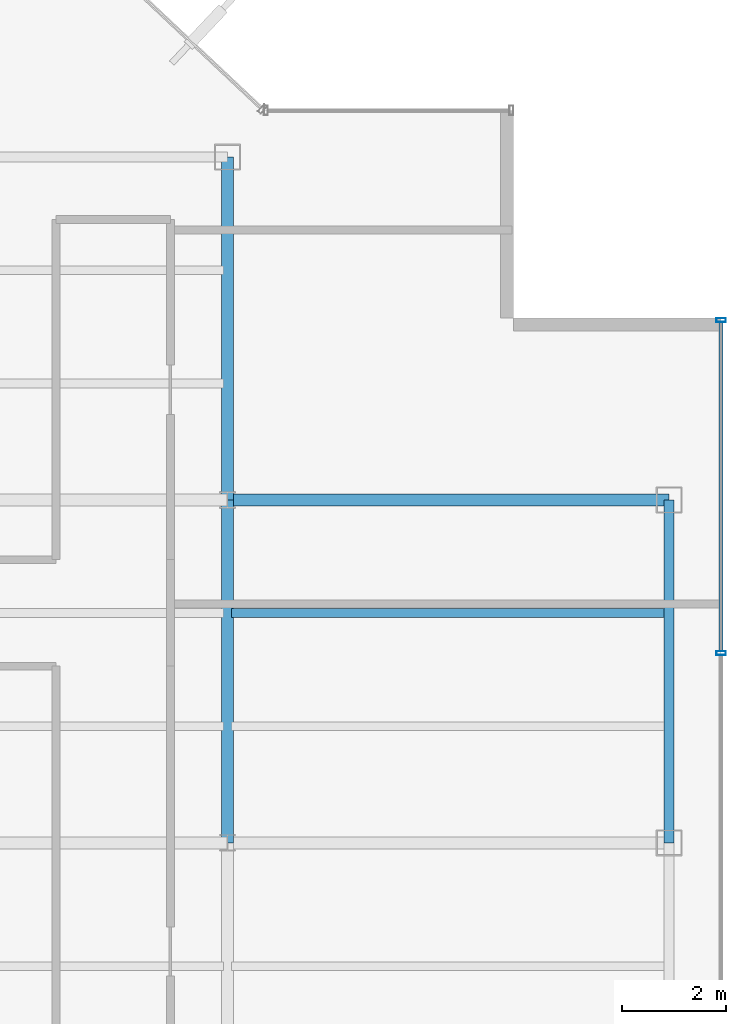
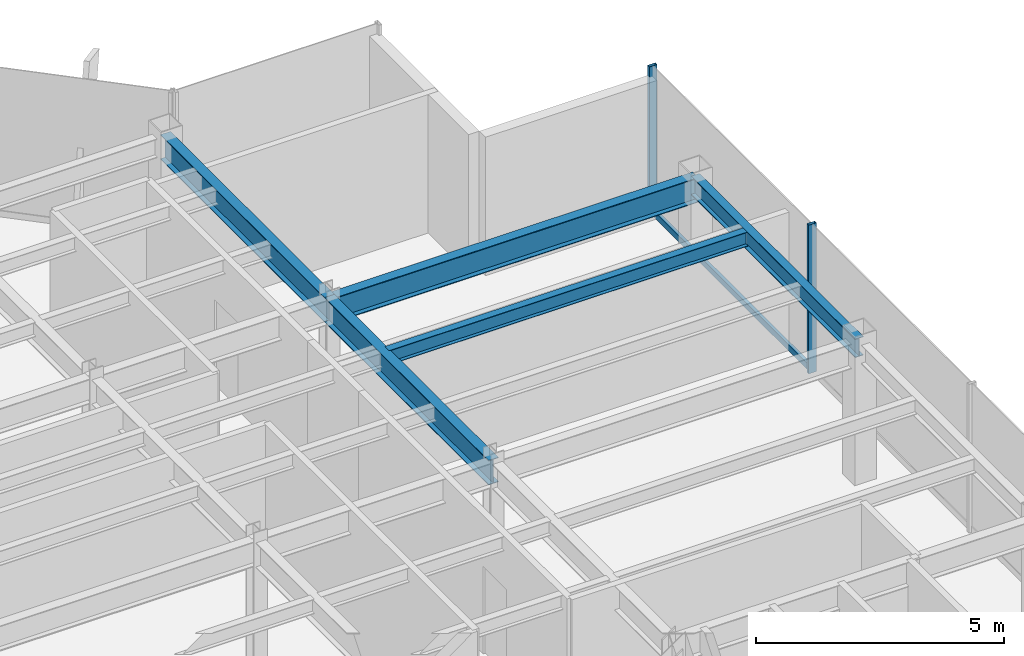
# One storey, part 11 of 22: 5 beams, 3 members, 1 element without a shape of its own.
"""IFC4 building model written with IfcOpenShell, lengths in metres."""

from ifc_helpers import new_model, si_unit, derived_unit, direction, frame, origin, origin_2d, place, context, subcontext, project, spatial, hollow_rectangle, i_section, extrude, source, transform, mapped, material, material_profile, profile_set, type_object, element, aggregate, save


model = new_model("IFC4")

# Units and contexts
model_context = context("Model", 3, precision=1e-05, world=origin(), true_north=direction((0.0, 1.0)))
body_context = subcontext(model_context, "Body", "Model", "MODEL_VIEW")
ifc_project = project(units=[si_unit("LENGTHUNIT", "METRE"), si_unit("AREAUNIT", "SQUARE_METRE"), si_unit("VOLUMEUNIT", "CUBIC_METRE"), si_unit("PLANEANGLEUNIT", "RADIAN"), si_unit("MASSUNIT", "GRAM", prefix="KILO"), derived_unit("THERMALTRANSMITTANCEUNIT", [(si_unit("POWERUNIT", "WATT"), 1), (si_unit("LENGTHUNIT", "METRE"), -2), (si_unit("THERMODYNAMICTEMPERATUREUNIT", "KELVIN"), -1)])], contexts=[model_context])

# Site, building, storey
site_placement = place(None, origin())
site = spatial("IfcSite", under=ifc_project, at=site_placement, CompositionType="ELEMENT")
building_placement = place(site_placement, origin())
building = spatial("IfcBuilding", under=site, at=building_placement, Name="Skarnbrae Concourse Arena and Tower", CompositionType="ELEMENT")
storey_placement = place(building_placement, frame((0.0, 0.0, 199.550048828125)))
storey = spatial("IfcBuildingStorey", under=building, at=storey_placement, Name="L51", CompositionType="ELEMENT", Elevation=199.550048828125)

# Beams
ifc_material_1 = material(Name="Steel CSA G40.21 350W", Category="steel")
ifc_material_profile_1 = material_profile(ifc_material_1, i_section(OverallWidth=0.22802734375, OverallDepth=0.60791015625, WebThickness=0.01123046875, FlangeThickness=0.017333984375, at=origin_2d()), Name="W610X113")
ifc_profile_set_1 = profile_set([ifc_material_profile_1], Name="Steel CSA G40.21 350W")
beam_type_1 = type_object("IfcBeamType", Name="BM-GIRD-W610X113", PredefinedType="BEAM", material=ifc_profile_set_1)
shared_shape_1 = source(origin(), body_context, "Body", "SweptSolid", [
    extrude(i_section(OverallWidth=0.22802734375, OverallDepth=0.60791015625, WebThickness=0.01123046875, FlangeThickness=0.017333984375, at=origin_2d()), origin(), (0.0, 0.0, 1.0), 6.60009765625),
])
beam_1_placement = place(storey_placement, frame((33.5, 21.199951171875, 3.095947265625), z_axis=(0.0, 1.0, 0.0), x_axis=(-1.0, 0.0, 0.0)))
element("IfcBeam", 1, at=beam_1_placement, inside=storey, type_object=beam_type_1, Name="L51 Primary N-S girder X33.5-2", PredefinedType="BEAM", context=body_context, shape_type="MappedRepresentation", body=[
    mapped(shared_shape_1, transform((0.0, 0.0, 0.0))),
])
shared_shape_2 = source(origin(), body_context, "Body", "SweptSolid", [
    extrude(i_section(OverallWidth=0.22802734375, OverallDepth=0.60791015625, WebThickness=0.01123046875, FlangeThickness=0.017333984375, at=origin_2d()), origin(), (0.0, 0.0, 1.0), 8.5),
])
beam_2_placement = place(storey_placement, frame((33.5, 27.800048828125, 3.095947265625), z_axis=(1.0, 0.0, 0.0), x_axis=(0.0, 1.0, 0.0)))
element("IfcBeam", 2, at=beam_2_placement, inside=storey, type_object=beam_type_1, Name="L51 Primary E-W girder Y27.8-6", PredefinedType="BEAM", context=body_context, shape_type="MappedRepresentation", body=[
    mapped(shared_shape_2, transform((0.0, 0.0, 0.0))),
])
ifc_material_profile_2 = material_profile(ifc_material_1, i_section(OverallWidth=0.19091796875, OverallDepth=0.4599609375, WebThickness=0.010009765625, FlangeThickness=0.01611328125, at=origin_2d()), Name="W460X82")
ifc_profile_set_2 = profile_set([ifc_material_profile_2], Name="Steel CSA G40.21 350W")
beam_type_2 = type_object("IfcBeamType", Name="BM-SPAN-W460X82", PredefinedType="SPANDREL", material=ifc_profile_set_2)
shared_shape_3 = source(origin(), body_context, "Body", "SweptSolid", [
    extrude(i_section(OverallWidth=0.19091796875, OverallDepth=0.4599609375, WebThickness=0.010009765625, FlangeThickness=0.01611328125, at=origin_2d()), origin(), (0.0, 0.0, 1.0), 6.60009765625),
])
beam_3_placement = place(storey_placement, frame((42.0, 21.199951171875, 3.169921875), z_axis=(0.0, 1.0, 0.0), x_axis=(-1.0, 0.0, 0.0)))
element("IfcBeam", 3, at=beam_3_placement, inside=storey, type_object=beam_type_2, Name="L51 Perimeter spandrel X42.0-3", PredefinedType="SPANDREL", context=body_context, shape_type="MappedRepresentation", body=[
    mapped(shared_shape_3, transform((0.0, 0.0, 0.0))),
])
shared_shape_4 = source(origin(), body_context, "Body", "SweptSolid", [
    extrude(i_section(OverallWidth=0.22802734375, OverallDepth=0.60791015625, WebThickness=0.01123046875, FlangeThickness=0.017333984375, at=origin_2d()), origin(), (0.0, 0.0, 1.0), 6.599853515625),
])
beam_4_placement = place(storey_placement, frame((33.5, 27.800048828125, 3.095947265625), z_axis=(0.0, 1.0, 0.0), x_axis=(-1.0, 0.0, 0.0)))
element("IfcBeam", 4, at=beam_4_placement, inside=storey, type_object=beam_type_1, Name="L51 Primary N-S girder X33.5-3", PredefinedType="BEAM", context=body_context, shape_type="MappedRepresentation", body=[
    mapped(shared_shape_4, transform((0.0, 0.0, 0.0))),
])
ifc_material_profile_3 = material_profile(ifc_material_1, i_section(OverallWidth=0.1708984375, OverallDepth=0.35498046875, WebThickness=0.007080078125, FlangeThickness=0.01171875, at=origin_2d()), Name="W360X51")
ifc_profile_set_3 = profile_set([ifc_material_profile_3], Name="Steel CSA G40.21 350W")
beam_type_3 = type_object("IfcBeamType", Name="BM-JOIST-W360X51", PredefinedType="JOIST", material=ifc_profile_set_3)
shared_shape_5 = source(origin(), body_context, "Body", "SweptSolid", [
    extrude(i_section(OverallWidth=0.1708984375, OverallDepth=0.35498046875, WebThickness=0.007080078125, FlangeThickness=0.01171875, at=origin_2d()), origin(), (0.0, 0.0, 1.0), 8.33984375),
])
beam_5_placement = place(storey_placement, frame((33.580078125, 25.6220703125, 3.222412109375), z_axis=(1.0, 0.0, 0.0), x_axis=(0.0, 1.0, 0.0)))
element("IfcBeam", 5, at=beam_5_placement, inside=storey, type_object=beam_type_3, Name="L51 Secondary floor joist 2.2.6", PredefinedType="JOIST", context=body_context, shape_type="MappedRepresentation", body=[
    mapped(shared_shape_5, transform((0.0, 0.0, 0.0))),
])

# Curtain wall, members
ifc_material_2 = material(Name="Bronze anodised aluminium 6063-T6", Category="aluminium")
curtain_wall_type = type_object("IfcCurtainWallType", Name="CW-SYS-05-HIGHZONE", PredefinedType="USERDEFINED", material=ifc_material_2)
curtain_wall_placement = place(storey_placement, origin())
curtain_wall = element("IfcCurtainWall", 6, at=curtain_wall_placement, inside=storey, type_object=curtain_wall_type, Name="L51 Unitised curtain wall CW-L51-E04", ObjectType="UNITISED CURTAIN WALL", PredefinedType="USERDEFINED")
ifc_material_profile_4 = material_profile(ifc_material_2, hollow_rectangle(XDim=0.074951171875, YDim=0.179931640625, WallThickness=0.00390625, at=origin_2d()), Name="ALU-MULL-75X180")
ifc_profile_set_4 = profile_set([ifc_material_profile_4], Name="Bronze anodised aluminium 6063-T6")
member_type_1 = type_object("IfcMemberType", Name="CWM-CW-05", PredefinedType="MULLION", material=ifc_profile_set_4)
shared_shape_6 = source(origin(), body_context, "Body", "SweptSolid", [
    extrude(hollow_rectangle(XDim=0.074951171875, YDim=0.179931640625, WallThickness=0.00390625, at=origin_2d()), origin(), (0.0, 0.0, 1.0), 3.64990234375),
])
member_1_placement = place(storey_placement, frame((43.0, 24.85009765625, 0.0), z_axis=(0.0, 0.0, 1.0), x_axis=(0.0, 1.0, 0.0)))
member_1 = element("IfcMember", 7, at=member_1_placement, type_object=member_type_1, Name="CW-L51-E04 Mullion 4", PredefinedType="MULLION", context=body_context, shape_type="MappedRepresentation", body=[
    mapped(shared_shape_6, transform((0.0, 0.0, 0.0))),
])
member_2_placement = place(storey_placement, frame((43.0, 31.262451171875, 0.0), z_axis=(0.0, 0.0, 1.0), x_axis=(0.0, 1.0, 0.0)))
member_2 = element("IfcMember", 8, at=member_2_placement, type_object=member_type_1, Name="CW-L51-E04 Mullion 5", PredefinedType="MULLION", context=body_context, shape_type="MappedRepresentation", body=[
    mapped(shared_shape_6, transform((0.0, 0.0, 0.0))),
])
ifc_material_profile_5 = material_profile(ifc_material_2, hollow_rectangle(XDim=0.074951171875, YDim=0.14990234375, WallThickness=0.00390625, at=origin_2d()), Name="ALU-TRAN-75X150")
ifc_profile_set_5 = profile_set([ifc_material_profile_5], Name="Bronze anodised aluminium 6063-T6")
member_type_2 = type_object("IfcMemberType", Name="CWT-CW-05", PredefinedType="USERDEFINED", material=ifc_profile_set_5)
shared_shape_7 = source(origin(), body_context, "Body", "SweptSolid", [
    extrude(hollow_rectangle(XDim=0.074951171875, YDim=0.14990234375, WallThickness=0.00390625, at=origin_2d()), origin(), (0.0, 0.0, 1.0), 6.337646484375),
])
member_3_placement = place(storey_placement, frame((43.0, 24.887451171875, 0.074951171875), z_axis=(0.0, 1.0, 0.0), x_axis=(-1.0, 0.0, 0.0)))
member_3 = element("IfcMember", 9, at=member_3_placement, type_object=member_type_2, Name="CW-L51-E04 Transom 4", ObjectType="TRANSOM", PredefinedType="USERDEFINED", context=body_context, shape_type="MappedRepresentation", body=[
    mapped(shared_shape_7, transform((0.0, 0.0, 0.0))),
])
aggregate(curtain_wall, [member_1, member_2, member_3])

save(model, "model.ifc")
